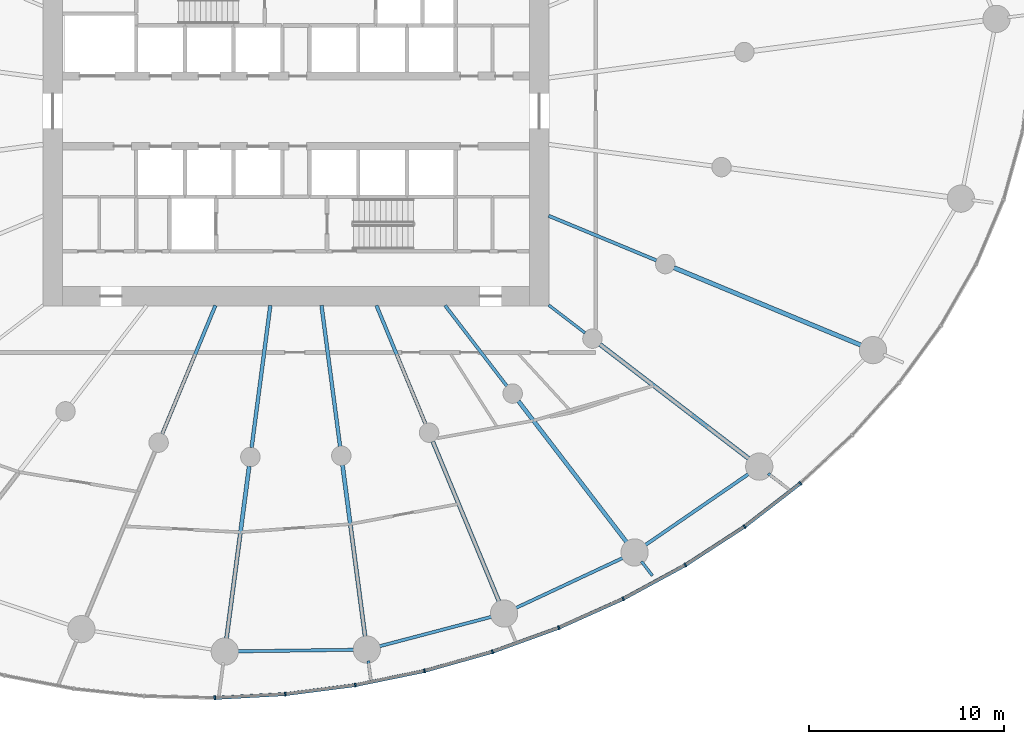
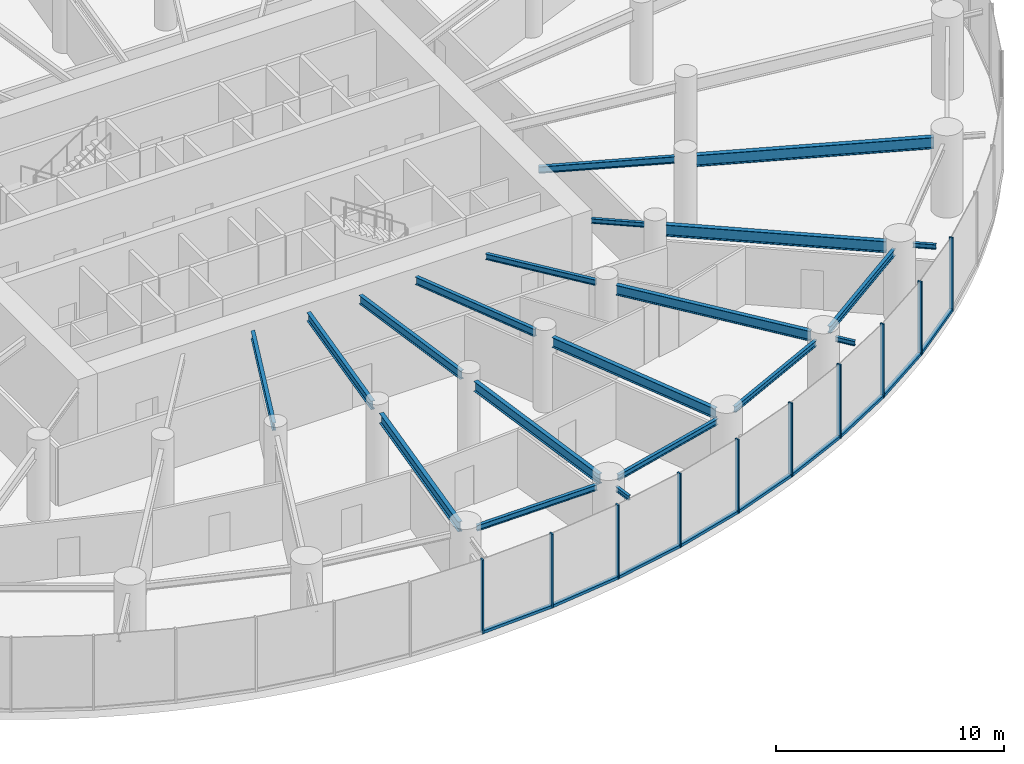
# One storey, part 4 of 18: 20 beams, 19 members, 3 elements without a shape of their own.
"""IFC4 building model written with IfcOpenShell, lengths in metres."""

from ifc_helpers import new_model, si_unit, direction, frame, origin, origin_2d, place, context, subcontext, project, spatial, rectangle, i_section, extrude, source, transform, mapped, material, layer, layer_set, material_profile, profile_set, type_object, element, aggregate, save


model = new_model("IFC4")

# Units and contexts
model_context = context("Model", 3, precision=1e-05, world=origin(), true_north=direction((0.0, 1.0)))
body_context = subcontext(model_context, "Body", "Model", "MODEL_VIEW")
ifc_project = project(units=[si_unit("LENGTHUNIT", "METRE"), si_unit("AREAUNIT", "SQUARE_METRE"), si_unit("VOLUMEUNIT", "CUBIC_METRE"), si_unit("PLANEANGLEUNIT", "RADIAN"), si_unit("MASSUNIT", "GRAM", prefix="KILO")], contexts=[model_context])

# Site, building, storey
site_placement = place(None, origin())
site = spatial("IfcSite", under=ifc_project, at=site_placement, CompositionType="ELEMENT")
building_placement = place(site_placement, origin())
building = spatial("IfcBuilding", under=site, at=building_placement, Name="Spindrift Exchange Tower", CompositionType="ELEMENT")
storey_placement = place(building_placement, frame((0.0, 0.0, 66.60009765625)))
storey = spatial("IfcBuildingStorey", under=building, at=storey_placement, Name="L15", CompositionType="ELEMENT", Elevation=66.60009765625)

# Beams
ifc_material_1 = material(Name="Steel Grade 300", Category="steel")
ifc_material_profile_1 = material_profile(ifc_material_1, i_section(OverallWidth=0.177978515625, OverallDepth=0.406005859375, WebThickness=0.0078125, FlangeThickness=0.0126953125, FilletRadius=0.013916015625, at=origin_2d()), Name="410UB59.7")
ifc_profile_set_1 = profile_set([ifc_material_profile_1], Name="Steel Grade 300")
beam_type_1 = type_object("IfcBeamType", Name="Floor Beam 410UB59.7 Steel Grade 300", PredefinedType="BEAM", material=ifc_profile_set_1)
shared_shape_1 = source(origin(), body_context, "Body", "SweptSolid", [
    extrude(i_section(OverallWidth=0.177978515625, OverallDepth=0.406005859375, WebThickness=0.0078125, FlangeThickness=0.0126953125, FilletRadius=0.013916015625, at=origin_2d()), origin(), (0.0, 0.0, 1.0), 7.150634765625),
])
beam_1_placement = place(storey_placement, frame((47.865478515625, 38.0185546875, 3.746826171875), z_axis=(-0.382665393358, -0.923887004306, 0.0), x_axis=(0.923887004306, -0.382665393358, 0.0)))
element("IfcBeam", 1, at=beam_1_placement, inside=storey, type_object=beam_type_1, Name="L15 radial beam R17A", PredefinedType="BEAM", context=body_context, shape_type="MappedRepresentation", body=[
    mapped(shared_shape_1, transform((0.0, 0.0, 0.0), scale=1.0)),
])
ifc_material_profile_2 = material_profile(ifc_material_1, i_section(OverallWidth=0.18994140625, OverallDepth=0.45703125, WebThickness=0.009033203125, FlangeThickness=0.014404296875, FilletRadius=0.013916015625, at=origin_2d()), Name="460UB74.6")
ifc_profile_set_2 = profile_set([ifc_material_profile_2], Name="Steel Grade 300")
beam_type_2 = type_object("IfcBeamType", Name="Floor Beam 460UB74.6 Steel Grade 300", PredefinedType="BEAM", material=ifc_profile_set_2)
shared_shape_2 = source(origin(), body_context, "Body", "SweptSolid", [
    extrude(i_section(OverallWidth=0.18994140625, OverallDepth=0.45703125, WebThickness=0.009033203125, FlangeThickness=0.014404296875, FilletRadius=0.013916015625, at=origin_2d()), origin(), (0.0, 0.0, 1.0), 7.374267578125),
])
beam_2_placement = place(storey_placement, frame((50.68603515625, 38.019775390625, 3.721435546875), z_axis=(-0.130539295622, -0.99144313619, 0.0), x_axis=(0.99144313619, -0.130539295622, 0.0)))
element("IfcBeam", 2, at=beam_2_placement, inside=storey, type_object=beam_type_2, Name="L15 radial beam R18A", PredefinedType="BEAM", context=body_context, shape_type="MappedRepresentation", body=[
    mapped(shared_shape_2, transform((0.0, 0.0, 0.0), scale=1.0)),
])
ifc_material_profile_3 = material_profile(ifc_material_1, i_section(OverallWidth=0.208984375, OverallDepth=0.532958984375, WebThickness=0.01025390625, FlangeThickness=0.015625, FilletRadius=0.013916015625, at=origin_2d()), Name="530UB92.4")
ifc_profile_set_3 = profile_set([ifc_material_profile_3], Name="Steel Grade 300")
beam_type_3 = type_object("IfcBeamType", Name="Floor Beam 530UB92.4 Steel Grade 300", PredefinedType="BEAM", material=ifc_profile_set_3)
shared_shape_3 = source(origin(), body_context, "Body", "SweptSolid", [
    extrude(i_section(OverallWidth=0.208984375, OverallDepth=0.532958984375, WebThickness=0.01025390625, FlangeThickness=0.015625, FilletRadius=0.013916015625, at=origin_2d()), origin(), (0.0, 0.0, 1.0), 9.020263671875),
])
beam_3_placement = place(storey_placement, frame((49.59814453125, 29.7568359375, 3.683349609375), z_axis=(-0.13051122338, -0.991446831944, 0.0), x_axis=(0.991446831944, -0.13051122338, 0.0)))
element("IfcBeam", 3, at=beam_3_placement, inside=storey, type_object=beam_type_3, Name="L15 radial beam R18B", PredefinedType="BEAM", context=body_context, shape_type="MappedRepresentation", body=[
    mapped(shared_shape_3, transform((0.0, 0.0, 0.0), scale=1.0)),
])
shared_shape_4 = source(origin(), body_context, "Body", "SweptSolid", [
    extrude(i_section(OverallWidth=0.18994140625, OverallDepth=0.45703125, WebThickness=0.009033203125, FlangeThickness=0.014404296875, FilletRadius=0.013916015625, at=origin_2d()), origin(), (0.0, 0.0, 1.0), 7.3095703125),
])
beam_4_placement = place(storey_placement, frame((53.31396484375, 38.019775390625, 3.721435546875), z_axis=(0.130527087244, -0.991444743541, 0.0), x_axis=(0.991444743541, 0.130527087244, 0.0)))
element("IfcBeam", 4, at=beam_4_placement, inside=storey, type_object=beam_type_2, Name="L15 radial beam R19A", PredefinedType="BEAM", context=body_context, shape_type="MappedRepresentation", body=[
    mapped(shared_shape_4, transform((0.0, 0.0, 0.0), scale=1.0)),
])
shared_shape_5 = source(origin(), body_context, "Body", "SweptSolid", [
    extrude(i_section(OverallWidth=0.208984375, OverallDepth=0.532958984375, WebThickness=0.01025390625, FlangeThickness=0.015625, FilletRadius=0.013916015625, at=origin_2d()), origin(), (0.0, 0.0, 1.0), 8.98388671875),
])
beam_5_placement = place(storey_placement, frame((54.393310546875, 29.82080078125, 3.683349609375), z_axis=(0.130524106785, -0.991445135924, 0.0), x_axis=(0.991445135924, 0.130524106785, 0.0)))
element("IfcBeam", 5, at=beam_5_placement, inside=storey, type_object=beam_type_3, Name="L15 radial beam R19B", PredefinedType="BEAM", context=body_context, shape_type="MappedRepresentation", body=[
    mapped(shared_shape_5, transform((0.0, 0.0, 0.0), scale=1.0)),
])
shared_shape_6 = source(origin(), body_context, "Body", "SweptSolid", [
    extrude(i_section(OverallWidth=0.177978515625, OverallDepth=0.406005859375, WebThickness=0.0078125, FlangeThickness=0.0126953125, FilletRadius=0.013916015625, at=origin_2d()), origin(), (0.0, 0.0, 1.0), 6.594482421875),
])
beam_6_placement = place(storey_placement, frame((56.134521484375, 38.0185546875, 3.746826171875), z_axis=(0.382692929746, -0.92387559851, 0.0), x_axis=(0.92387559851, 0.382692929746, 0.0)))
element("IfcBeam", 6, at=beam_6_placement, inside=storey, type_object=beam_type_1, Name="L15 radial beam R20A", PredefinedType="BEAM", context=body_context, shape_type="MappedRepresentation", body=[
    mapped(shared_shape_6, transform((0.0, 0.0, 0.0), scale=1.0)),
])
shared_shape_7 = source(origin(), body_context, "Body", "SweptSolid", [
    extrude(i_section(OverallWidth=0.208984375, OverallDepth=0.532958984375, WebThickness=0.01025390625, FlangeThickness=0.015625, FilletRadius=0.013916015625, at=origin_2d()), origin(), (0.0, 0.0, 1.0), 8.99658203125),
])
beam_7_placement = place(storey_placement, frame((59.025390625, 31.0390625, 3.683349609375), z_axis=(0.382685731718, -0.923878580085, 0.0), x_axis=(0.923878580085, 0.382685731718, 0.0)))
element("IfcBeam", 7, at=beam_7_placement, inside=storey, type_object=beam_type_3, Name="L15 radial beam R20B", PredefinedType="BEAM", context=body_context, shape_type="MappedRepresentation", body=[
    mapped(shared_shape_7, transform((0.0, 0.0, 0.0), scale=1.0)),
])
ifc_material_profile_4 = material_profile(ifc_material_1, i_section(OverallWidth=0.1650390625, OverallDepth=0.303955078125, WebThickness=0.006103515625, FlangeThickness=0.01025390625, FilletRadius=0.011474609375, at=origin_2d()), Name="310UB40.4")
ifc_profile_set_4 = profile_set([ifc_material_profile_4], Name="Steel Grade 300")
beam_type_4 = type_object("IfcBeamType", Name="Floor Beam 310UB40.4 Steel Grade 300", PredefinedType="BEAM", material=ifc_profile_set_4)
shared_shape_8 = source(origin(), body_context, "Body", "SweptSolid", [
    extrude(i_section(OverallWidth=0.1650390625, OverallDepth=0.303955078125, WebThickness=0.006103515625, FlangeThickness=0.01025390625, FilletRadius=0.011474609375, at=origin_2d()), origin(), (0.0, 0.0, 1.0), 5.224609375),
])
beam_8_placement = place(storey_placement, frame((59.6611328125, 38.015869140625, 3.7978515625), z_axis=(0.608741499316, -0.793368632485, 0.0), x_axis=(0.793368632485, 0.608741499316, 0.0)))
element("IfcBeam", 8, at=beam_8_placement, inside=storey, type_object=beam_type_4, Name="L15 radial beam R21A", PredefinedType="BEAM", context=body_context, shape_type="MappedRepresentation", body=[
    mapped(shared_shape_8, transform((0.0, 0.0, 0.0), scale=1.0)),
])
shared_shape_9 = source(origin(), body_context, "Body", "SweptSolid", [
    extrude(i_section(OverallWidth=0.208984375, OverallDepth=0.532958984375, WebThickness=0.01025390625, FlangeThickness=0.015625, FilletRadius=0.013916015625, at=origin_2d()), origin(), (0.0, 0.0, 1.0), 9.227783203125),
])
beam_9_placement = place(storey_placement, frame((63.426025390625, 33.109375, 3.683349609375), z_axis=(0.608747534474, -0.79336400175, 0.0), x_axis=(0.79336400175, 0.608747534474, 0.0)))
element("IfcBeam", 9, at=beam_9_placement, inside=storey, type_object=beam_type_3, Name="L15 radial beam R21B", PredefinedType="BEAM", context=body_context, shape_type="MappedRepresentation", body=[
    mapped(shared_shape_9, transform((0.0, 0.0, 0.0), scale=1.0)),
])
ifc_material_profile_5 = material_profile(ifc_material_1, i_section(OverallWidth=0.14599609375, OverallDepth=0.251953125, WebThickness=0.006103515625, FlangeThickness=0.008544921875, FilletRadius=0.011962890625, at=origin_2d()), Name="250UB31.4")
ifc_profile_set_5 = profile_set([ifc_material_profile_5], Name="Steel Grade 300")
beam_type_5 = type_object("IfcBeamType", Name="Floor Beam 250UB31.4 Steel Grade 300", PredefinedType="BEAM", material=ifc_profile_set_5)
shared_shape_10 = source(origin(), body_context, "Body", "SweptSolid", [
    extrude(i_section(OverallWidth=0.14599609375, OverallDepth=0.251953125, WebThickness=0.006103515625, FlangeThickness=0.008544921875, FilletRadius=0.011962890625, at=origin_2d()), origin(), (0.0, 0.0, 1.0), 2.353759765625),
])
beam_10_placement = place(storey_placement, frame((64.984130859375, 38.036865234375, 3.823974609375), z_axis=(0.793367573265, -0.608742879787, 0.0), x_axis=(0.608742879787, 0.793367573265, 0.0)))
element("IfcBeam", 10, at=beam_10_placement, inside=storey, type_object=beam_type_5, Name="L15 radial beam R22A", PredefinedType="BEAM", context=body_context, shape_type="MappedRepresentation", body=[
    mapped(shared_shape_10, transform((0.0, 0.0, 0.0), scale=1.0)),
])
ifc_material_profile_6 = material_profile(ifc_material_1, i_section(OverallWidth=0.22802734375, OverallDepth=0.60693359375, WebThickness=0.01123046875, FlangeThickness=0.017333984375, FilletRadius=0.013916015625, at=origin_2d()), Name="610UB113")
ifc_profile_set_6 = profile_set([ifc_material_profile_6], Name="Steel Grade 300")
beam_type_6 = type_object("IfcBeamType", Name="Floor Beam 610UB113 Steel Grade 300", PredefinedType="BEAM", material=ifc_profile_set_6)
shared_shape_11 = source(origin(), body_context, "Body", "SweptSolid", [
    extrude(i_section(OverallWidth=0.22802734375, OverallDepth=0.60693359375, WebThickness=0.01123046875, FlangeThickness=0.017333984375, FilletRadius=0.013916015625, at=origin_2d()), origin(), (0.0, 0.0, 1.0), 9.73974609375),
])
beam_11_placement = place(storey_placement, frame((67.61328125, 36.01953125, 3.646484375), z_axis=(0.793352119621, -0.608763019814, 0.0), x_axis=(0.608763019814, 0.793352119621, 0.0)))
element("IfcBeam", 11, at=beam_11_placement, inside=storey, type_object=beam_type_6, Name="L15 radial beam R22B", PredefinedType="BEAM", context=body_context, shape_type="MappedRepresentation", body=[
    mapped(shared_shape_11, transform((0.0, 0.0, 0.0), scale=1.0)),
])
ifc_material_profile_7 = material_profile(ifc_material_1, i_section(OverallWidth=0.172119140625, OverallDepth=0.35888671875, WebThickness=0.008056640625, FlangeThickness=0.012939453125, FilletRadius=0.013916015625, at=origin_2d()), Name="360UB56.7")
ifc_profile_set_7 = profile_set([ifc_material_profile_7], Name="Steel Grade 300")
beam_type_7 = type_object("IfcBeamType", Name="Floor Beam 360UB56.7 Steel Grade 300", PredefinedType="BEAM", material=ifc_profile_set_7)
shared_shape_12 = source(origin(), body_context, "Body", "SweptSolid", [
    extrude(i_section(OverallWidth=0.172119140625, OverallDepth=0.35888671875, WebThickness=0.008056640625, FlangeThickness=0.012939453125, FilletRadius=0.013916015625, at=origin_2d()), origin(), (0.0, 0.0, 1.0), 6.004638671875),
])
beam_12_placement = place(storey_placement, frame((64.9814453125, 42.622802734375, 3.7705078125), z_axis=(0.923882044911, -0.38267736684, 0.0), x_axis=(0.38267736684, 0.923882044911, 0.0)))
element("IfcBeam", 12, at=beam_12_placement, inside=storey, type_object=beam_type_7, Name="L15 radial beam R23A", PredefinedType="BEAM", context=body_context, shape_type="MappedRepresentation", body=[
    mapped(shared_shape_12, transform((0.0, 0.0, 0.0), scale=1.0)),
])
shared_shape_13 = source(origin(), body_context, "Body", "SweptSolid", [
    extrude(i_section(OverallWidth=0.22802734375, OverallDepth=0.60693359375, WebThickness=0.01123046875, FlangeThickness=0.017333984375, FilletRadius=0.013916015625, at=origin_2d()), origin(), (0.0, 0.0, 1.0), 10.4912109375),
])
beam_13_placement = place(storey_placement, frame((71.416015625, 39.95751953125, 3.646484375), z_axis=(0.923885231151, -0.382669674342, 0.0), x_axis=(0.382669674342, 0.923885231151, 0.0)))
element("IfcBeam", 13, at=beam_13_placement, inside=storey, type_object=beam_type_6, Name="L15 radial beam R23B", PredefinedType="BEAM", context=body_context, shape_type="MappedRepresentation", body=[
    mapped(shared_shape_13, transform((0.0, 0.0, 0.0), scale=1.0)),
])
ifc_material_profile_8 = material_profile(ifc_material_1, i_section(OverallWidth=0.1650390625, OverallDepth=0.303955078125, WebThickness=0.006103515625, FlangeThickness=0.01025390625, FilletRadius=0.011474609375, at=origin_2d()), Name="310UB40.4")
ifc_profile_set_8 = profile_set([ifc_material_profile_8], Name="Steel Grade 300")
beam_type_8 = type_object("IfcBeamType", Name="Edge Beam 310UB40.4 Steel Grade 300", PredefinedType="SPANDREL", material=ifc_profile_set_8)
shared_shape_14 = source(origin(), body_context, "Body", "SweptSolid", [
    extrude(i_section(OverallWidth=0.1650390625, OverallDepth=0.303955078125, WebThickness=0.006103515625, FlangeThickness=0.01025390625, FilletRadius=0.011474609375, at=origin_2d()), origin(), (0.0, 0.0, 1.0), 6.13720703125),
])
beam_14_placement = place(storey_placement, frame((48.925048828125, 20.24658203125, 3.7978515625), z_axis=(0.999905820907, 0.013724041543, 0.0), x_axis=(-0.013724041543, 0.999905820907, 0.0)))
element("IfcBeam", 14, at=beam_14_placement, inside=storey, type_object=beam_type_8, Name="L15 edge beam E18", PredefinedType="SPANDREL", context=body_context, shape_type="MappedRepresentation", body=[
    mapped(shared_shape_14, transform((0.0, 0.0, 0.0), scale=1.0)),
])
shared_shape_15 = source(origin(), body_context, "Body", "SweptSolid", [
    extrude(i_section(OverallWidth=0.1650390625, OverallDepth=0.303955078125, WebThickness=0.006103515625, FlangeThickness=0.01025390625, FilletRadius=0.011474609375, at=origin_2d()), origin(), (0.0, 0.0, 1.0), 6.128173828125),
])
beam_15_placement = place(storey_placement, frame((56.20263671875, 20.486083984375, 3.7978515625), z_axis=(0.967147261855, 0.254216785216, 0.0), x_axis=(-0.254216785216, 0.967147261855, 0.0)))
element("IfcBeam", 15, at=beam_15_placement, inside=storey, type_object=beam_type_8, Name="L15 edge beam E19", PredefinedType="SPANDREL", context=body_context, shape_type="MappedRepresentation", body=[
    mapped(shared_shape_15, transform((0.0, 0.0, 0.0), scale=1.0)),
])
shared_shape_16 = source(origin(), body_context, "Body", "SweptSolid", [
    extrude(i_section(OverallWidth=0.1650390625, OverallDepth=0.303955078125, WebThickness=0.006103515625, FlangeThickness=0.01025390625, FilletRadius=0.011474609375, at=origin_2d()), origin(), (0.0, 0.0, 1.0), 6.243408203125),
])
beam_16_placement = place(storey_placement, frame((63.2158203125, 22.43701171875, 3.7978515625), z_axis=(0.905791146607, 0.423724437257, 0.0), x_axis=(-0.423724437257, 0.905791146607, 0.0)))
element("IfcBeam", 16, at=beam_16_placement, inside=storey, type_object=beam_type_8, Name="L15 edge beam E20", PredefinedType="SPANDREL", context=body_context, shape_type="MappedRepresentation", body=[
    mapped(shared_shape_16, transform((0.0, 0.0, 0.0), scale=1.0)),
])
ifc_material_profile_9 = material_profile(ifc_material_1, i_section(OverallWidth=0.172119140625, OverallDepth=0.35888671875, WebThickness=0.008056640625, FlangeThickness=0.012939453125, FilletRadius=0.013916015625, at=origin_2d()), Name="360UB56.7")
ifc_profile_set_9 = profile_set([ifc_material_profile_9], Name="Steel Grade 300")
beam_type_9 = type_object("IfcBeamType", Name="Edge Beam 360UB56.7 Steel Grade 300", PredefinedType="SPANDREL", material=ifc_profile_set_9)
shared_shape_17 = source(origin(), body_context, "Body", "SweptSolid", [
    extrude(i_section(OverallWidth=0.172119140625, OverallDepth=0.35888671875, WebThickness=0.008056640625, FlangeThickness=0.012939453125, FilletRadius=0.013916015625, at=origin_2d()), origin(), (0.0, 0.0, 1.0), 6.614990234375),
])
beam_17_placement = place(storey_placement, frame((69.874267578125, 25.6572265625, 3.7705078125), z_axis=(0.823690708835, 0.567039342708, 0.0), x_axis=(-0.567039342708, 0.823690708835, 0.0)))
element("IfcBeam", 17, at=beam_17_placement, inside=storey, type_object=beam_type_9, Name="L15 edge beam E21", PredefinedType="SPANDREL", context=body_context, shape_type="MappedRepresentation", body=[
    mapped(shared_shape_17, transform((0.0, 0.0, 0.0), scale=1.0)),
])
ifc_material_profile_10 = material_profile(ifc_material_1, i_section(OverallWidth=0.14599609375, OverallDepth=0.251953125, WebThickness=0.006103515625, FlangeThickness=0.008544921875, FilletRadius=0.011962890625, at=origin_2d()), Name="250UB31.4")
ifc_profile_set_10 = profile_set([ifc_material_profile_10], Name="Steel Grade 300")
beam_type_10 = type_object("IfcBeamType", Name="Cantilever Beam 250UB31.4 Steel Grade 300", PredefinedType="BEAM", material=ifc_profile_set_10)
shared_shape_18 = source(origin(), body_context, "Body", "SweptSolid", [
    extrude(i_section(OverallWidth=0.14599609375, OverallDepth=0.251953125, WebThickness=0.006103515625, FlangeThickness=0.008544921875, FilletRadius=0.011962890625, at=origin_2d()), origin(), (0.0, 0.0, 1.0), 0.934326171875),
])
beam_18_placement = place(storey_placement, frame((55.71728515625, 19.763671875, 3.823974609375), z_axis=(0.130657299934, -0.991427591897, 0.0), x_axis=(0.991427591897, 0.130657299934, 0.0)))
element("IfcBeam", 18, at=beam_18_placement, inside=storey, type_object=beam_type_10, Name="L15 cantilever beam R19T", PredefinedType="BEAM", context=body_context, shape_type="MappedRepresentation", body=[
    mapped(shared_shape_18, transform((0.0, 0.0, 0.0), scale=1.0)),
])
shared_shape_19 = source(origin(), body_context, "Body", "SweptSolid", [
    extrude(i_section(OverallWidth=0.14599609375, OverallDepth=0.251953125, WebThickness=0.006103515625, FlangeThickness=0.008544921875, FilletRadius=0.011962890625, at=origin_2d()), origin(), (0.0, 0.0, 1.0), 0.925537109375),
])
beam_19_placement = place(storey_placement, frame((69.749755859375, 24.8681640625, 3.823974609375), z_axis=(0.608575522624, -0.793495956677, 0.0), x_axis=(0.793495956677, 0.608575522624, 0.0)))
element("IfcBeam", 19, at=beam_19_placement, inside=storey, type_object=beam_type_10, Name="L15 cantilever beam R21T", PredefinedType="BEAM", context=body_context, shape_type="MappedRepresentation", body=[
    mapped(shared_shape_19, transform((0.0, 0.0, 0.0), scale=1.0)),
])
shared_shape_20 = source(origin(), body_context, "Body", "SweptSolid", [
    extrude(i_section(OverallWidth=0.14599609375, OverallDepth=0.251953125, WebThickness=0.006103515625, FlangeThickness=0.008544921875, FilletRadius=0.011962890625, at=origin_2d()), origin(), (0.0, 0.0, 1.0), 1.032958984375),
])
beam_20_placement = place(storey_placement, frame((76.2607421875, 29.384033203125, 3.823974609375), z_axis=(0.793343832484, -0.608773819624, 0.0), x_axis=(0.608773819624, 0.793343832484, 0.0)))
element("IfcBeam", 20, at=beam_20_placement, inside=storey, type_object=beam_type_10, Name="L15 cantilever beam R22T", PredefinedType="BEAM", context=body_context, shape_type="MappedRepresentation", body=[
    mapped(shared_shape_20, transform((0.0, 0.0, 0.0), scale=1.0)),
])

# Curtain wall, member
ifc_material_2 = material(Name="Fritted laminated glass with bronze frame", Category="glass")
ifc_layer = layer(ifc_material_2, 0.199951171875)
ifc_layer_set = layer_set([ifc_layer], Name="ZONE 1 BRONZE FRITTED WALL")
curtain_wall_type = type_object("IfcCurtainWallType", Name="ZONE 1 BRONZE FRITTED WALL", PredefinedType="NOTDEFINED", material=ifc_layer_set)
curtain_wall_1_placement = place(storey_placement, origin())
curtain_wall_1 = element("IfcCurtainWall", 21, at=curtain_wall_1_placement, inside=storey, type_object=curtain_wall_type, Name="L15 Zone 1 Bronze Fritted Wall run 7", PredefinedType="NOTDEFINED")
ifc_material_3 = material(Name="Bronze anodised aluminium", Category="aluminium")
ifc_material_profile_11 = material_profile(ifc_material_3, rectangle(XDim=0.080078125, YDim=0.199951171875, at=origin_2d()), Name="ZONE 1 BRONZE FRITTED WALL MULLION 80X200")
ifc_profile_set_11 = profile_set([ifc_material_profile_11], Name="Bronze anodised aluminium")
member_type_1 = type_object("IfcMemberType", Name="ZONE 1 BRONZE FRITTED WALL MULLION 80X200", PredefinedType="MULLION", material=ifc_profile_set_11)
shared_shape_21 = source(origin(), body_context, "Body", "SweptSolid", [
    extrude(rectangle(XDim=0.080078125, YDim=0.199951171875, at=origin_2d()), origin(), (0.0, 0.0, 1.0), 3.949951171875),
])
member_1_placement = place(storey_placement, frame((47.8310546875, 17.857666015625, 0.0), z_axis=(0.0, 0.0, 1.0), x_axis=(0.99988943946, 0.014869729562, 0.0)))
member_1 = element("IfcMember", 22, at=member_1_placement, type_object=member_type_1, Name="L15 mullion CW-1.42", PredefinedType="MULLION", context=body_context, shape_type="MappedRepresentation", body=[
    mapped(shared_shape_21, transform((0.0, 0.0, 0.0), scale=1.0)),
])

# Curtain wall, members
curtain_wall_2_placement = place(storey_placement, origin())
curtain_wall_2 = element("IfcCurtainWall", 23, at=curtain_wall_2_placement, inside=storey, type_object=curtain_wall_type, Name="L15 Zone 1 Bronze Fritted Wall run 8", PredefinedType="NOTDEFINED")
member_2_placement = place(storey_placement, frame((51.453125, 18.051513671875, 0.0), z_axis=(0.0, 0.0, 1.0), x_axis=(0.99586997318, 0.090790949544, 0.0)))
member_2 = element("IfcMember", 24, at=member_2_placement, type_object=member_type_1, Name="L15 mullion CW-1.43", PredefinedType="MULLION", context=body_context, shape_type="MappedRepresentation", body=[
    mapped(shared_shape_21, transform((0.0, 0.0, 0.0), scale=1.0)),
])
member_3_placement = place(storey_placement, frame((55.05078125, 18.515869140625, 0.0), z_axis=(0.0, 0.0, 1.0), x_axis=(0.986402580924, 0.164347036321, 0.0)))
member_3 = element("IfcMember", 25, at=member_3_placement, type_object=member_type_1, Name="L15 mullion CW-1.44", PredefinedType="MULLION", context=body_context, shape_type="MappedRepresentation", body=[
    mapped(shared_shape_21, transform((0.0, 0.0, 0.0), scale=1.0)),
])
member_4_placement = place(storey_placement, frame((58.6044921875, 19.242919921875, 0.0), z_axis=(0.0, 0.0, 1.0), x_axis=(0.971749755343, 0.236013586454, 0.0)))
member_4 = element("IfcMember", 26, at=member_4_placement, type_object=member_type_1, Name="L15 mullion CW-1.45", PredefinedType="MULLION", context=body_context, shape_type="MappedRepresentation", body=[
    mapped(shared_shape_21, transform((0.0, 0.0, 0.0), scale=1.0)),
])
member_5_placement = place(storey_placement, frame((62.095947265625, 20.226806640625, 0.0), z_axis=(0.0, 0.0, 1.0), x_axis=(0.951956486825, 0.306233321491, 0.0)))
member_5 = element("IfcMember", 27, at=member_5_placement, type_object=member_type_1, Name="L15 mullion CW-1.46", PredefinedType="MULLION", context=body_context, shape_type="MappedRepresentation", body=[
    mapped(shared_shape_21, transform((0.0, 0.0, 0.0), scale=1.0)),
])
member_6_placement = place(storey_placement, frame((65.506103515625, 21.463134765625, 0.0), z_axis=(0.0, 0.0, 1.0), x_axis=(0.926866725154, 0.375390561685, 0.0)))
member_6 = element("IfcMember", 28, at=member_6_placement, type_object=member_type_1, Name="L15 mullion CW-1.47", PredefinedType="MULLION", context=body_context, shape_type="MappedRepresentation", body=[
    mapped(shared_shape_21, transform((0.0, 0.0, 0.0), scale=1.0)),
])
member_7_placement = place(storey_placement, frame((68.8154296875, 22.948486328125, 0.0), z_axis=(0.0, 0.0, 1.0), x_axis=(0.89613948059, 0.443772499517, 0.0)))
member_7 = element("IfcMember", 29, at=member_7_placement, type_object=member_type_1, Name="L15 mullion CW-1.48", PredefinedType="MULLION", context=body_context, shape_type="MappedRepresentation", body=[
    mapped(shared_shape_21, transform((0.0, 0.0, 0.0), scale=1.0)),
])

curtain_wall_3_placement = place(storey_placement, origin())
curtain_wall_3 = element("IfcCurtainWall", 30, at=curtain_wall_3_placement, inside=storey, type_object=curtain_wall_type, Name="L15 Zone 1 Bronze Fritted Wall run 9", PredefinedType="NOTDEFINED")
member_8_placement = place(storey_placement, frame((72.002685546875, 24.680419921875, 0.0), z_axis=(0.0, 0.0, 1.0), x_axis=(0.859187055493, 0.511661610514, 0.0)))
member_8 = element("IfcMember", 31, at=member_8_placement, type_object=member_type_1, Name="L15 mullion CW-1.49", PredefinedType="MULLION", context=body_context, shape_type="MappedRepresentation", body=[
    mapped(shared_shape_21, transform((0.0, 0.0, 0.0), scale=1.0)),
])
member_9_placement = place(storey_placement, frame((75.043701171875, 26.657470703125, 0.0), z_axis=(0.0, 0.0, 1.0), x_axis=(0.81522126484, 0.579149626048, 0.0)))
member_9 = element("IfcMember", 32, at=member_9_placement, type_object=member_type_1, Name="L15 mullion CW-1.50", PredefinedType="MULLION", context=body_context, shape_type="MappedRepresentation", body=[
    mapped(shared_shape_21, transform((0.0, 0.0, 0.0), scale=1.0)),
])
member_10_placement = place(storey_placement, frame((77.91162109375, 28.878173828125, 0.0), z_axis=(0.0, 0.0, 1.0), x_axis=(0.763205774148, 0.646155512479, 0.0)))
member_10 = element("IfcMember", 33, at=member_10_placement, type_object=member_type_1, Name="L15 mullion CW-1.51", PredefinedType="MULLION", context=body_context, shape_type="MappedRepresentation", body=[
    mapped(shared_shape_21, transform((0.0, 0.0, 0.0), scale=1.0)),
])
ifc_material_profile_12 = material_profile(ifc_material_3, rectangle(XDim=0.179931640625, YDim=0.14990234375, at=origin_2d()), Name="ZONE 1 BRONZE FRITTED WALL TRANSOM 180X150")
ifc_profile_set_12 = profile_set([ifc_material_profile_12], Name="Bronze anodised aluminium")
member_type_2 = type_object("IfcMemberType", Name="ZONE 1 BRONZE FRITTED WALL TRANSOM 180X150", PredefinedType="USERDEFINED", material=ifc_profile_set_12)
shared_shape_22 = source(origin(), body_context, "Body", "SweptSolid", [
    extrude(rectangle(XDim=0.179931640625, YDim=0.14990234375, at=origin_2d()), origin(), (0.0, 0.0, 1.0), 3.546875),
])
member_11_placement = place(storey_placement, frame((75.075439453125, 26.681884765625, 0.074951171875), z_axis=(0.790662440872, 0.61225232102, 0.0), x_axis=(-0.61225232102, 0.790662440872, 0.0)))
member_11 = element("IfcMember", 34, at=member_11_placement, type_object=member_type_2, Name="L15 transom CW-1.50", ObjectType="TRANSOM", PredefinedType="USERDEFINED", context=body_context, shape_type="MappedRepresentation", body=[
    mapped(shared_shape_22, transform((0.0, 0.0, 0.0), scale=1.0)),
])

# Member
shared_shape_23 = source(origin(), body_context, "Body", "SweptSolid", [
    extrude(rectangle(XDim=0.179931640625, YDim=0.14990234375, at=origin_2d()), origin(), (0.0, 0.0, 1.0), 3.54736328125),
])
member_12_placement = place(storey_placement, frame((51.492919921875, 18.056640625, 0.074951171875), z_axis=(0.99177223003, 0.128015013731, 0.0), x_axis=(-0.128015013731, 0.99177223003, 0.0)))
member_12 = element("IfcMember", 35, at=member_12_placement, type_object=member_type_2, Name="L15 transom CW-1.43", ObjectType="TRANSOM", PredefinedType="USERDEFINED", context=body_context, shape_type="MappedRepresentation", body=[
    mapped(shared_shape_23, transform((0.0, 0.0, 0.0), scale=1.0)),
])

member_13_placement = place(storey_placement, frame((58.64306640625, 19.25390625, 0.074951171875), z_axis=(0.962512355326, 0.271237839996, 0.0), x_axis=(-0.271237839996, 0.962512355326, 0.0)))
member_13 = element("IfcMember", 36, at=member_13_placement, type_object=member_type_2, Name="L15 transom CW-1.45", ObjectType="TRANSOM", PredefinedType="USERDEFINED", context=body_context, shape_type="MappedRepresentation", body=[
    mapped(shared_shape_23, transform((0.0, 0.0, 0.0), scale=1.0)),
])

member_14_placement = place(storey_placement, frame((62.133544921875, 20.240478515625, 0.074951171875), z_axis=(0.940130552307, 0.340814531115, 0.0), x_axis=(-0.340814531115, 0.940130552307, 0.0)))
member_14 = element("IfcMember", 37, at=member_14_placement, type_object=member_type_2, Name="L15 transom CW-1.46", ObjectType="TRANSOM", PredefinedType="USERDEFINED", context=body_context, shape_type="MappedRepresentation", body=[
    mapped(shared_shape_23, transform((0.0, 0.0, 0.0), scale=1.0)),
])

member_15_placement = place(storey_placement, frame((65.542724609375, 21.4794921875, 0.074951171875), z_axis=(0.912312563556, 0.409494549876, 0.0), x_axis=(-0.409494549876, 0.912312563556, 0.0)))
member_15 = element("IfcMember", 38, at=member_15_placement, type_object=member_type_2, Name="L15 transom CW-1.47", ObjectType="TRANSOM", PredefinedType="USERDEFINED", context=body_context, shape_type="MappedRepresentation", body=[
    mapped(shared_shape_23, transform((0.0, 0.0, 0.0), scale=1.0)),
])

member_16_placement = place(storey_placement, frame((68.8505859375, 22.967529296875, 0.074951171875), z_axis=(0.87867032931, 0.477429002461, 0.0), x_axis=(-0.477429002461, 0.87867032931, 0.0)))
member_16 = element("IfcMember", 39, at=member_16_placement, type_object=member_type_2, Name="L15 transom CW-1.48", ObjectType="TRANSOM", PredefinedType="USERDEFINED", context=body_context, shape_type="MappedRepresentation", body=[
    mapped(shared_shape_23, transform((0.0, 0.0, 0.0), scale=1.0)),
])

member_17_placement = place(storey_placement, frame((72.0361328125, 24.7021484375, 0.074951171875), z_axis=(0.838421601413, 0.545022218157, 0.0), x_axis=(-0.545022218157, 0.838421601413, 0.0)))
member_17 = element("IfcMember", 40, at=member_17_placement, type_object=member_type_2, Name="L15 transom CW-1.49", ObjectType="TRANSOM", PredefinedType="USERDEFINED", context=body_context, shape_type="MappedRepresentation", body=[
    mapped(shared_shape_23, transform((0.0, 0.0, 0.0), scale=1.0)),
])

aggregate(curtain_wall_3, [member_8, member_17, member_9, member_11, member_10])

shared_shape_24 = source(origin(), body_context, "Body", "SweptSolid", [
    extrude(rectangle(XDim=0.179931640625, YDim=0.14990234375, at=origin_2d()), origin(), (0.0, 0.0, 1.0), 3.547607421875),
])
member_18_placement = place(storey_placement, frame((47.870849609375, 17.859619140625, 0.074951171875), z_axis=(0.998569313663, 0.053472664143, 0.0), x_axis=(-0.053472664143, 0.998569313663, 0.0)))
member_18 = element("IfcMember", 41, at=member_18_placement, type_object=member_type_2, Name="L15 transom CW-1.42", ObjectType="TRANSOM", PredefinedType="USERDEFINED", context=body_context, shape_type="MappedRepresentation", body=[
    mapped(shared_shape_24, transform((0.0, 0.0, 0.0), scale=1.0)),
])

aggregate(curtain_wall_1, [member_1, member_18])

member_19_placement = place(storey_placement, frame((55.08984375, 18.52392578125, 0.074951171875), z_axis=(0.979713703955, 0.200402241214, 0.0), x_axis=(-0.200402241214, 0.979713703955, 0.0)))
member_19 = element("IfcMember", 42, at=member_19_placement, type_object=member_type_2, Name="L15 transom CW-1.44", ObjectType="TRANSOM", PredefinedType="USERDEFINED", context=body_context, shape_type="MappedRepresentation", body=[
    mapped(shared_shape_24, transform((0.0, 0.0, 0.0), scale=1.0)),
])

aggregate(curtain_wall_2, [member_2, member_12, member_3, member_19, member_4, member_13, member_5, member_14, member_6, member_15, member_7, member_16])

save(model, "model.ifc")
